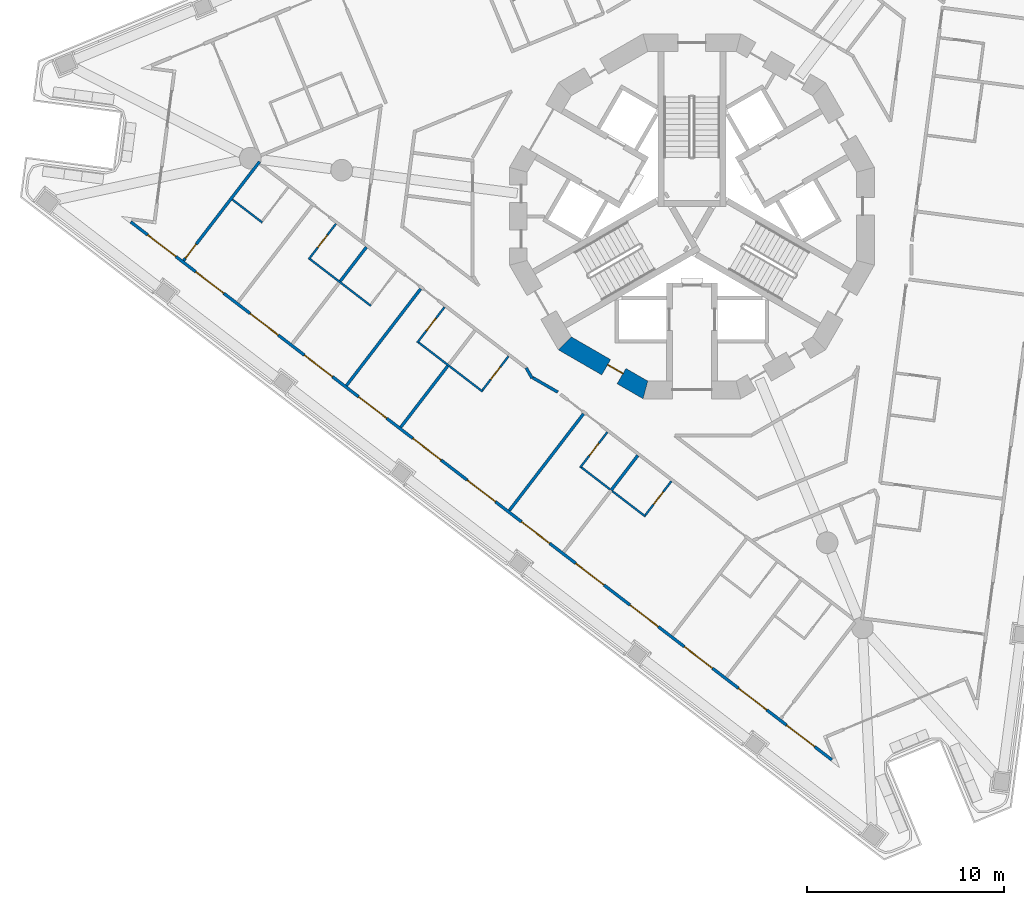
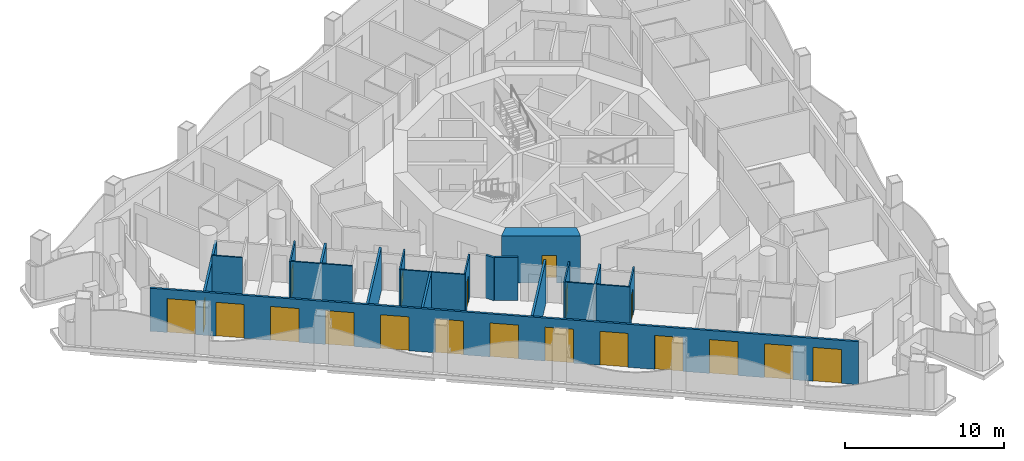
# One storey, part 2 of 18: 20 doors, 20 walls, 20 openings.
"""IFC4 building model written with IfcOpenShell, lengths in metres."""

from ifc_helpers import new_model, si_unit, direction, frame, frame_2d, origin, place, context, subcontext, project, spatial, polyline, rectangle, outline, extrude, material, layer, layer_set, type_object, element, fill, save


model = new_model("IFC4")

# Units and contexts
model_context = context("Model", 3, precision=1e-05, world=origin(), true_north=direction((0.0, 1.0)))
body_context = subcontext(model_context, "Body", "Model", "MODEL_VIEW")
ifc_project = project(units=[si_unit("LENGTHUNIT", "METRE"), si_unit("AREAUNIT", "SQUARE_METRE"), si_unit("VOLUMEUNIT", "CUBIC_METRE"), si_unit("PLANEANGLEUNIT", "RADIAN"), si_unit("MASSUNIT", "GRAM", prefix="KILO")], contexts=[model_context])

# Site, building, storey
site_placement = place(None, origin())
site = spatial("IfcSite", under=ifc_project, at=site_placement, CompositionType="ELEMENT")
building_placement = place(site_placement, origin())
building = spatial("IfcBuilding", under=site, at=building_placement, Name="Trine Commons Tower", CompositionType="ELEMENT")
storey_placement = place(building_placement, frame((0.0, 0.0, 142.199951171875)))
storey = spatial("IfcBuildingStorey", under=building, at=storey_placement, Name="L36", CompositionType="ELEMENT", Elevation=142.199951171875)

# Wall, openings, doors
ifc_material_1 = material(Name="Aluminium-framed insulated wall panel", Category="aluminium")
ifc_layer_1 = layer(ifc_material_1, 0.14990234375)
ifc_layer_set_1 = layer_set([ifc_layer_1], Name="Aluminium-framed insulated wall panel")
wall_type_1 = type_object("IfcWallType", Name="Glazed frame wall 150, EI 60", PredefinedType="SOLIDWALL", material=ifc_layer_set_1)
wall_1_placement = place(storey_placement, frame((87.22509765625, 34.786376953125, 0.0), z_axis=(0.0, 0.0, 1.0), x_axis=(-0.793353605974, 0.608761082764, 0.0)))
wall_1 = element("IfcWall", 1, at=wall_1_placement, inside=storey, type_object=wall_type_1, Name="Glazed frame wall F3", PredefinedType="SOLIDWALL", context=body_context, shape_type="SweptSolid", body=[
    extrude(outline(polyline([(0.1494140625, 0.074951171875), (0.1494140625, -0.074951171875), (45.056884765625, -0.074951171875), (45.056884765625, 0.074951171875), (0.1494140625, 0.074951171875)])), origin(), (0.0, 0.0, 1.0), 3.300048828125),
])
opening_1_placement = place(wall_1_placement, frame((1.23876953125, 0.0, 0.0)))
opening_1 = element("IfcOpeningElement", 2, at=opening_1_placement, cuts=wall_1, Name="Opening BD-4F3-01", PredefinedType="OPENING", context=body_context, shape_type="SweptSolid", body=[
    extrude(rectangle(XDim=1.800048828125, YDim=2.60009765625, at=frame_2d((0.89990234375, 1.300048828125))), frame((0.0, 0.0849609375, 0.0), z_axis=(0.0, -1.0, 0.0), x_axis=(1.0, 0.0, 0.0)), (0.0, 0.0, 1.0), 0.169921875),
])
opening_2_placement = place(wall_1_placement, frame((4.316162109375, 0.0, 0.0)))
opening_2 = element("IfcOpeningElement", 3, at=opening_2_placement, cuts=wall_1, Name="Opening BD-4F3-02", PredefinedType="OPENING", context=body_context, shape_type="SweptSolid", body=[
    extrude(rectangle(XDim=1.800048828125, YDim=2.60009765625, at=frame_2d((0.89990234375, 1.300048828125))), frame((0.0, 0.0849609375, 0.0), z_axis=(0.0, -1.0, 0.0), x_axis=(1.0, 0.0, 0.0)), (0.0, 0.0, 1.0), 0.169921875),
])
opening_3_placement = place(wall_1_placement, frame((7.79345703125, 0.0, 0.0)))
opening_3 = element("IfcOpeningElement", 4, at=opening_3_placement, cuts=wall_1, Name="Opening BD-4F3-03", PredefinedType="OPENING", context=body_context, shape_type="SweptSolid", body=[
    extrude(rectangle(XDim=1.800048828125, YDim=2.60009765625, at=frame_2d((0.89990234375, 1.300048828125))), frame((0.0, 0.0849609375, 0.0), z_axis=(0.0, -1.0, 0.0), x_axis=(1.0, 0.0, 0.0)), (0.0, 0.0, 1.0), 0.169921875),
])
opening_4_placement = place(wall_1_placement, frame((11.27099609375, 0.0, 0.0)))
opening_4 = element("IfcOpeningElement", 5, at=opening_4_placement, cuts=wall_1, Name="Opening BD-4F3-04", PredefinedType="OPENING", context=body_context, shape_type="SweptSolid", body=[
    extrude(rectangle(XDim=1.800048828125, YDim=2.60009765625, at=frame_2d((0.89990234375, 1.300048828125))), frame((0.0, 0.0849609375, 0.0), z_axis=(0.0, -1.0, 0.0), x_axis=(1.0, 0.0, 0.0)), (0.0, 0.0, 1.0), 0.169921875),
])
opening_5_placement = place(wall_1_placement, frame((14.748291015625, 0.0, 0.0)))
opening_5 = element("IfcOpeningElement", 6, at=opening_5_placement, cuts=wall_1, Name="Opening BD-4F3-05", PredefinedType="OPENING", context=body_context, shape_type="SweptSolid", body=[
    extrude(rectangle(XDim=1.800048828125, YDim=2.60009765625, at=frame_2d((0.89990234375, 1.300048828125))), frame((0.0, 0.0849609375, 0.0), z_axis=(0.0, -1.0, 0.0), x_axis=(1.0, 0.0, 0.0)), (0.0, 0.0, 1.0), 0.169921875),
])
opening_6_placement = place(wall_1_placement, frame((18.2255859375, 0.0, 0.0)))
opening_6 = element("IfcOpeningElement", 7, at=opening_6_placement, cuts=wall_1, Name="Opening BD-4F3-06", PredefinedType="OPENING", context=body_context, shape_type="SweptSolid", body=[
    extrude(rectangle(XDim=1.800048828125, YDim=2.60009765625, at=frame_2d((0.89990234375, 1.300048828125))), frame((0.0, 0.0849609375, 0.0), z_axis=(0.0, -1.0, 0.0), x_axis=(1.0, 0.0, 0.0)), (0.0, 0.0, 1.0), 0.169921875),
])
opening_7_placement = place(wall_1_placement, frame((21.703125, 0.0, 0.0)))
opening_7 = element("IfcOpeningElement", 8, at=opening_7_placement, cuts=wall_1, Name="Opening BD-4F3-07", PredefinedType="OPENING", context=body_context, shape_type="SweptSolid", body=[
    extrude(rectangle(XDim=1.800048828125, YDim=2.60009765625, at=frame_2d((0.89990234375, 1.300048828125))), frame((0.0, 0.0849609375, 0.0), z_axis=(0.0, -1.0, 0.0), x_axis=(1.0, 0.0, 0.0)), (0.0, 0.0, 1.0), 0.169921875),
])
opening_8_placement = place(wall_1_placement, frame((25.180419921875, 0.0, 0.0)))
opening_8 = element("IfcOpeningElement", 9, at=opening_8_placement, cuts=wall_1, Name="Opening BD-4F3-08", PredefinedType="OPENING", context=body_context, shape_type="SweptSolid", body=[
    extrude(rectangle(XDim=1.800048828125, YDim=2.60009765625, at=frame_2d((0.89990234375, 1.300048828125))), frame((0.0, 0.0849609375, 0.0), z_axis=(0.0, -1.0, 0.0), x_axis=(1.0, 0.0, 0.0)), (0.0, 0.0, 1.0), 0.169921875),
])
opening_9_placement = place(wall_1_placement, frame((28.657958984375, 0.0, 0.0)))
opening_9 = element("IfcOpeningElement", 10, at=opening_9_placement, cuts=wall_1, Name="Opening BD-4F3-09", PredefinedType="OPENING", context=body_context, shape_type="SweptSolid", body=[
    extrude(rectangle(XDim=1.800048828125, YDim=2.60009765625, at=frame_2d((0.89990234375, 1.300048828125))), frame((0.0, 0.0849609375, 0.0), z_axis=(0.0, -1.0, 0.0), x_axis=(1.0, 0.0, 0.0)), (0.0, 0.0, 1.0), 0.169921875),
])
opening_10_placement = place(wall_1_placement, frame((32.13525390625, 0.0, 0.0)))
opening_10 = element("IfcOpeningElement", 11, at=opening_10_placement, cuts=wall_1, Name="Opening BD-4F3-10", PredefinedType="OPENING", context=body_context, shape_type="SweptSolid", body=[
    extrude(rectangle(XDim=1.800048828125, YDim=2.60009765625, at=frame_2d((0.89990234375, 1.300048828125))), frame((0.0, 0.0849609375, 0.0), z_axis=(0.0, -1.0, 0.0), x_axis=(1.0, 0.0, 0.0)), (0.0, 0.0, 1.0), 0.169921875),
])
opening_11_placement = place(wall_1_placement, frame((35.61279296875, 0.0, 0.0)))
opening_11 = element("IfcOpeningElement", 12, at=opening_11_placement, cuts=wall_1, Name="Opening BD-4F3-11", PredefinedType="OPENING", context=body_context, shape_type="SweptSolid", body=[
    extrude(rectangle(XDim=1.800048828125, YDim=2.60009765625, at=frame_2d((0.89990234375, 1.300048828125))), frame((0.0, 0.0849609375, 0.0), z_axis=(0.0, -1.0, 0.0), x_axis=(1.0, 0.0, 0.0)), (0.0, 0.0, 1.0), 0.169921875),
])
opening_12_placement = place(wall_1_placement, frame((39.090087890625, 0.0, 0.0)))
opening_12 = element("IfcOpeningElement", 13, at=opening_12_placement, cuts=wall_1, Name="Opening BD-4F3-12", PredefinedType="OPENING", context=body_context, shape_type="SweptSolid", body=[
    extrude(rectangle(XDim=1.800048828125, YDim=2.60009765625, at=frame_2d((0.89990234375, 1.300048828125))), frame((0.0, 0.0849609375, 0.0), z_axis=(0.0, -1.0, 0.0), x_axis=(1.0, 0.0, 0.0)), (0.0, 0.0, 1.0), 0.169921875),
])
opening_13_placement = place(wall_1_placement, frame((42.16748046875, 0.0, 0.0)))
opening_13 = element("IfcOpeningElement", 14, at=opening_13_placement, cuts=wall_1, Name="Opening BD-4F3-13", PredefinedType="OPENING", context=body_context, shape_type="SweptSolid", body=[
    extrude(rectangle(XDim=1.800048828125, YDim=2.60009765625, at=frame_2d((0.89990234375, 1.300048828125))), frame((0.0, 0.0849609375, 0.0), z_axis=(0.0, -1.0, 0.0), x_axis=(1.0, 0.0, 0.0)), (0.0, 0.0, 1.0), 0.169921875),
])
ifc_material_2 = material(Name="Anodised aluminium frame with double glazing", Category="aluminium")
door_type_1 = type_object("IfcDoorType", Name="Sliding loggia door 1800x2600", OperationType="SLIDING_TO_LEFT", PredefinedType="DOOR", material=ifc_material_2)
door_1_placement = place(opening_1_placement, origin())
door_1 = element("IfcDoor", 15, at=door_1_placement, inside=storey, type_object=door_type_1, Name="Loggia door F3 1", OperationType="SLIDING_TO_LEFT", OverallHeight=2.60009765625, OverallWidth=1.800048828125, PredefinedType="DOOR", context=body_context, shape_type="SweptSolid", body=[
    extrude(rectangle(XDim=1.800048828125, YDim=2.60009765625, at=frame_2d((0.89990234375, 1.300048828125))), frame((0.0, 0.02490234375, 0.0), z_axis=(0.0, -1.0, 0.0), x_axis=(1.0, 0.0, 0.0)), (0.0, 0.0, 1.0), 0.050048828125),
])
fill(opening_1, door_1)
door_2_placement = place(opening_2_placement, origin())
door_2 = element("IfcDoor", 16, at=door_2_placement, inside=storey, type_object=door_type_1, Name="Loggia door F3 2", OperationType="SLIDING_TO_LEFT", OverallHeight=2.60009765625, OverallWidth=1.800048828125, PredefinedType="DOOR", context=body_context, shape_type="SweptSolid", body=[
    extrude(rectangle(XDim=1.800048828125, YDim=2.60009765625, at=frame_2d((0.89990234375, 1.300048828125))), frame((0.0, 0.02490234375, 0.0), z_axis=(0.0, -1.0, 0.0), x_axis=(1.0, 0.0, 0.0)), (0.0, 0.0, 1.0), 0.050048828125),
])
fill(opening_2, door_2)
door_3_placement = place(opening_3_placement, origin())
door_3 = element("IfcDoor", 17, at=door_3_placement, inside=storey, type_object=door_type_1, Name="Loggia door F3 3", OperationType="SLIDING_TO_LEFT", OverallHeight=2.60009765625, OverallWidth=1.800048828125, PredefinedType="DOOR", context=body_context, shape_type="SweptSolid", body=[
    extrude(rectangle(XDim=1.800048828125, YDim=2.60009765625, at=frame_2d((0.89990234375, 1.300048828125))), frame((0.0, 0.02490234375, 0.0), z_axis=(0.0, -1.0, 0.0), x_axis=(1.0, 0.0, 0.0)), (0.0, 0.0, 1.0), 0.050048828125),
])
fill(opening_3, door_3)
door_4_placement = place(opening_4_placement, origin())
door_4 = element("IfcDoor", 18, at=door_4_placement, inside=storey, type_object=door_type_1, Name="Loggia door F3 4", OperationType="SLIDING_TO_LEFT", OverallHeight=2.60009765625, OverallWidth=1.800048828125, PredefinedType="DOOR", context=body_context, shape_type="SweptSolid", body=[
    extrude(rectangle(XDim=1.800048828125, YDim=2.60009765625, at=frame_2d((0.89990234375, 1.300048828125))), frame((0.0, 0.02490234375, 0.0), z_axis=(0.0, -1.0, 0.0), x_axis=(1.0, 0.0, 0.0)), (0.0, 0.0, 1.0), 0.050048828125),
])
fill(opening_4, door_4)
door_5_placement = place(opening_5_placement, origin())
door_5 = element("IfcDoor", 19, at=door_5_placement, inside=storey, type_object=door_type_1, Name="Loggia door F3 5", OperationType="SLIDING_TO_LEFT", OverallHeight=2.60009765625, OverallWidth=1.800048828125, PredefinedType="DOOR", context=body_context, shape_type="SweptSolid", body=[
    extrude(rectangle(XDim=1.800048828125, YDim=2.60009765625, at=frame_2d((0.89990234375, 1.300048828125))), frame((0.0, 0.02490234375, 0.0), z_axis=(0.0, -1.0, 0.0), x_axis=(1.0, 0.0, 0.0)), (0.0, 0.0, 1.0), 0.050048828125),
])
fill(opening_5, door_5)
door_6_placement = place(opening_6_placement, origin())
door_6 = element("IfcDoor", 20, at=door_6_placement, inside=storey, type_object=door_type_1, Name="Loggia door F3 6", OperationType="SLIDING_TO_LEFT", OverallHeight=2.60009765625, OverallWidth=1.800048828125, PredefinedType="DOOR", context=body_context, shape_type="SweptSolid", body=[
    extrude(rectangle(XDim=1.800048828125, YDim=2.60009765625, at=frame_2d((0.89990234375, 1.300048828125))), frame((0.0, 0.02490234375, 0.0), z_axis=(0.0, -1.0, 0.0), x_axis=(1.0, 0.0, 0.0)), (0.0, 0.0, 1.0), 0.050048828125),
])
fill(opening_6, door_6)
door_7_placement = place(opening_7_placement, origin())
door_7 = element("IfcDoor", 21, at=door_7_placement, inside=storey, type_object=door_type_1, Name="Loggia door F3 7", OperationType="SLIDING_TO_LEFT", OverallHeight=2.60009765625, OverallWidth=1.800048828125, PredefinedType="DOOR", context=body_context, shape_type="SweptSolid", body=[
    extrude(rectangle(XDim=1.800048828125, YDim=2.60009765625, at=frame_2d((0.89990234375, 1.300048828125))), frame((0.0, 0.02490234375, 0.0), z_axis=(0.0, -1.0, 0.0), x_axis=(1.0, 0.0, 0.0)), (0.0, 0.0, 1.0), 0.050048828125),
])
fill(opening_7, door_7)
door_8_placement = place(opening_8_placement, origin())
door_8 = element("IfcDoor", 22, at=door_8_placement, inside=storey, type_object=door_type_1, Name="Loggia door F3 8", OperationType="SLIDING_TO_LEFT", OverallHeight=2.60009765625, OverallWidth=1.800048828125, PredefinedType="DOOR", context=body_context, shape_type="SweptSolid", body=[
    extrude(rectangle(XDim=1.800048828125, YDim=2.60009765625, at=frame_2d((0.89990234375, 1.300048828125))), frame((0.0, 0.02490234375, 0.0), z_axis=(0.0, -1.0, 0.0), x_axis=(1.0, 0.0, 0.0)), (0.0, 0.0, 1.0), 0.050048828125),
])
fill(opening_8, door_8)
door_9_placement = place(opening_9_placement, origin())
door_9 = element("IfcDoor", 23, at=door_9_placement, inside=storey, type_object=door_type_1, Name="Loggia door F3 9", OperationType="SLIDING_TO_LEFT", OverallHeight=2.60009765625, OverallWidth=1.800048828125, PredefinedType="DOOR", context=body_context, shape_type="SweptSolid", body=[
    extrude(rectangle(XDim=1.800048828125, YDim=2.60009765625, at=frame_2d((0.89990234375, 1.300048828125))), frame((0.0, 0.02490234375, 0.0), z_axis=(0.0, -1.0, 0.0), x_axis=(1.0, 0.0, 0.0)), (0.0, 0.0, 1.0), 0.050048828125),
])
fill(opening_9, door_9)
door_10_placement = place(opening_10_placement, origin())
door_10 = element("IfcDoor", 24, at=door_10_placement, inside=storey, type_object=door_type_1, Name="Loggia door F3 10", OperationType="SLIDING_TO_LEFT", OverallHeight=2.60009765625, OverallWidth=1.800048828125, PredefinedType="DOOR", context=body_context, shape_type="SweptSolid", body=[
    extrude(rectangle(XDim=1.800048828125, YDim=2.60009765625, at=frame_2d((0.89990234375, 1.300048828125))), frame((0.0, 0.02490234375, 0.0), z_axis=(0.0, -1.0, 0.0), x_axis=(1.0, 0.0, 0.0)), (0.0, 0.0, 1.0), 0.050048828125),
])
fill(opening_10, door_10)
door_11_placement = place(opening_11_placement, origin())
door_11 = element("IfcDoor", 25, at=door_11_placement, inside=storey, type_object=door_type_1, Name="Loggia door F3 11", OperationType="SLIDING_TO_LEFT", OverallHeight=2.60009765625, OverallWidth=1.800048828125, PredefinedType="DOOR", context=body_context, shape_type="SweptSolid", body=[
    extrude(rectangle(XDim=1.800048828125, YDim=2.60009765625, at=frame_2d((0.89990234375, 1.300048828125))), frame((0.0, 0.02490234375, 0.0), z_axis=(0.0, -1.0, 0.0), x_axis=(1.0, 0.0, 0.0)), (0.0, 0.0, 1.0), 0.050048828125),
])
fill(opening_11, door_11)
door_12_placement = place(opening_12_placement, origin())
door_12 = element("IfcDoor", 26, at=door_12_placement, inside=storey, type_object=door_type_1, Name="Loggia door F3 12", OperationType="SLIDING_TO_LEFT", OverallHeight=2.60009765625, OverallWidth=1.800048828125, PredefinedType="DOOR", context=body_context, shape_type="SweptSolid", body=[
    extrude(rectangle(XDim=1.800048828125, YDim=2.60009765625, at=frame_2d((0.89990234375, 1.300048828125))), frame((0.0, 0.02490234375, 0.0), z_axis=(0.0, -1.0, 0.0), x_axis=(1.0, 0.0, 0.0)), (0.0, 0.0, 1.0), 0.050048828125),
])
fill(opening_12, door_12)
door_13_placement = place(opening_13_placement, origin())
door_13 = element("IfcDoor", 27, at=door_13_placement, inside=storey, type_object=door_type_1, Name="Loggia door F3 13", OperationType="SLIDING_TO_LEFT", OverallHeight=2.60009765625, OverallWidth=1.800048828125, PredefinedType="DOOR", context=body_context, shape_type="SweptSolid", body=[
    extrude(rectangle(XDim=1.800048828125, YDim=2.60009765625, at=frame_2d((0.89990234375, 1.300048828125))), frame((0.0, 0.02490234375, 0.0), z_axis=(0.0, -1.0, 0.0), x_axis=(1.0, 0.0, 0.0)), (0.0, 0.0, 1.0), 0.050048828125),
])
fill(opening_13, door_13)

# Wall, opening, door
ifc_material_3 = material(Name="Concrete C70/85", Category="concrete")
ifc_layer_2 = layer(ifc_material_3, 0.89990234375)
ifc_layer_set_2 = layer_set([ifc_layer_2], Name="Concrete C70/85")
wall_type_2 = type_object("IfcWallType", Name="RC shear wall 900 mm, C70/85", PredefinedType="SHEAR", material=ifc_layer_set_2)
wall_2_placement = place(storey_placement, frame((73.436767578125, 56.1015625, 0.0), z_axis=(0.0, 0.0, 1.0), x_axis=(0.866003133579, -0.500038571144, 0.0)))
wall_2 = element("IfcWall", 28, at=wall_2_placement, inside=storey, type_object=wall_type_2, Name="Core wall CWD-09 L36", PredefinedType="SHEAR", context=body_context, shape_type="SweptSolid", body=[
    extrude(outline(polyline([(0.0, -0.449951171875), (4.96923828125, -0.449951171875), (4.72802734375, 0.449951171875), (0.2412109375, 0.449951171875), (0.0, -0.449951171875)])), origin(), (0.0, 0.0, 1.0), 3.60009765625),
])
opening_14_placement = place(wall_2_placement, frame((2.5458984375, 0.0, 0.0)))
opening_14 = element("IfcOpeningElement", 29, at=opening_14_placement, cuts=wall_2, Name="Opening K11.16", PredefinedType="OPENING", context=body_context, shape_type="SweptSolid", body=[
    extrude(rectangle(XDim=0.89990234375, YDim=2.10009765625, at=frame_2d((0.449951171875, 1.050048828125))), frame((0.0, 0.4599609375, 0.0), z_axis=(0.0, -1.0, 0.0), x_axis=(1.0, 0.0, 0.0)), (0.0, 0.0, 1.0), 0.919921875),
])
ifc_material_4 = material(Name="Steel door leaf, fire-rated", Category="steel")
door_type_2 = type_object("IfcDoorType", Name="Core room door, single leaf 900 x 2100, FD30S", OperationType="SINGLE_SWING_LEFT", PredefinedType="DOOR", material=ifc_material_4)
door_14_placement = place(opening_14_placement, origin())
door_14 = element("IfcDoor", 30, at=door_14_placement, inside=storey, type_object=door_type_2, Name="Door to Pantry L36", OperationType="SINGLE_SWING_RIGHT", OverallHeight=2.10009765625, OverallWidth=0.89990234375, PredefinedType="DOOR", context=body_context, shape_type="SweptSolid", body=[
    extrude(rectangle(XDim=0.89990234375, YDim=2.10009765625, at=frame_2d((0.449951171875, 1.050048828125))), frame((0.0, 0.1748046875, 0.0), z_axis=(0.0, -1.0, 0.0), x_axis=(1.0, 0.0, 0.0)), (0.0, 0.0, 1.0), 0.050048828125),
])
fill(opening_14, door_14)

ifc_material_5 = material(Name="Gypsum plasterboard on steel stud", Category="steel")
ifc_layer_3 = layer(ifc_material_5, 0.14990234375)
ifc_layer_set_3 = layer_set([ifc_layer_3], Name="Gypsum plasterboard on steel stud")
wall_type_3 = type_object("IfcWallType", Name="Unit and corridor wall 150 mm, EI 60", PredefinedType="PARTITIONING", material=ifc_layer_set_3)
wall_3_placement = place(storey_placement, frame((54.165283203125, 60.248779296875, 0.0), z_axis=(0.0, 0.0, 1.0), x_axis=(0.608817658648, 0.793310190605, 0.0)))
wall_3 = element("IfcWall", 31, at=wall_3_placement, inside=storey, type_object=wall_type_3, Name="Partition 001", PredefinedType="PARTITIONING", context=body_context, shape_type="SweptSolid", body=[
    extrude(rectangle(XDim=6.343994140625, YDim=0.14990234375, at=frame_2d((3.171875, 0.0))), origin(), (0.0, 0.0, 1.0), 2.800048828125),
])
opening_15_placement = place(wall_3_placement, frame((0.14990234375, 0.0, 0.0)))
opening_15 = element("IfcOpeningElement", 32, at=opening_15_placement, cuts=wall_3, Name="Opening D-4B28", PredefinedType="OPENING", context=body_context, shape_type="SweptSolid", body=[
    extrude(rectangle(XDim=0.89990234375, YDim=2.10009765625, at=frame_2d((0.449951171875, 1.050048828125))), frame((0.0, 0.0849609375, 0.0), z_axis=(0.0, -1.0, 0.0), x_axis=(1.0, 0.0, 0.0)), (0.0, 0.0, 1.0), 0.169921875),
])
ifc_material_6 = material(Name="Timber fire door set", Category="wood")
door_type_3 = type_object("IfcDoorType", Name="Bedroom door 900 x 2100, FD30S", OperationType="NOTDEFINED", PredefinedType="DOOR", material=ifc_material_6)
door_15_placement = place(opening_15_placement, frame((0.89990234375, 0.0, 0.0), z_axis=(0.0, 0.0, 1.0), x_axis=(-1.0, 0.0, 0.0)))
door_15 = element("IfcDoor", 33, at=door_15_placement, inside=storey, type_object=door_type_3, Name="Door D-4B28", OperationType="SINGLE_SWING_RIGHT", OverallHeight=2.10009765625, OverallWidth=0.89990234375, PredefinedType="DOOR", context=body_context, shape_type="SweptSolid", body=[
    extrude(rectangle(XDim=0.89990234375, YDim=2.10009765625, at=frame_2d((0.449951171875, 1.050048828125))), frame((0.0, 0.02490234375, 0.0), z_axis=(0.0, -1.0, 0.0), x_axis=(1.0, 0.0, 0.0)), (0.0, 0.0, 1.0), 0.050048828125),
])
fill(opening_15, door_15)

# Walls
wall_4_placement = place(storey_placement, frame((62.12939453125, 59.20361328125, 0.0), z_axis=(0.0, 0.0, 1.0), x_axis=(0.608674216197, 0.79342025342, 0.0)))
element("IfcWall", 34, at=wall_4_placement, inside=storey, type_object=wall_type_3, Name="Partition 018", PredefinedType="PARTITIONING", context=body_context, shape_type="SweptSolid", body=[
    extrude(rectangle(XDim=2.17529296875, YDim=0.14990234375, at=frame_2d((1.087646484375, 0.0))), origin(), (0.0, 0.0, 1.0), 3.300048828125),
])
wall_5_placement = place(storey_placement, frame((62.44140625, 53.897705078125, 0.0), z_axis=(0.0, 0.0, 1.0), x_axis=(0.608735145032, 0.793373508004, 0.0)))
element("IfcWall", 35, at=wall_5_placement, inside=storey, type_object=wall_type_3, Name="Partition 020", PredefinedType="PARTITIONING", context=body_context, shape_type="SweptSolid", body=[
    extrude(rectangle(XDim=6.19482421875, YDim=0.14990234375, at=frame_2d((3.097412109375, 0.0))), origin(), (0.0, 0.0, 1.0), 3.300048828125),
])
wall_6_placement = place(storey_placement, frame((65.200439453125, 51.78076171875, 0.0), z_axis=(0.0, 0.0, 1.0), x_axis=(0.608783231907, 0.793336609863, 0.0)))
element("IfcWall", 36, at=wall_6_placement, inside=storey, type_object=wall_type_3, Name="Partition 026", PredefinedType="PARTITIONING", context=body_context, shape_type="SweptSolid", body=[
    extrude(rectangle(XDim=3.919677734375, YDim=0.14990234375, at=frame_2d((1.9599609375, 0.0))), origin(), (0.0, 0.0, 1.0), 3.300048828125),
])
wall_7_placement = place(storey_placement, frame((70.71826171875, 47.547607421875, 0.0), z_axis=(0.0, 0.0, 1.0), x_axis=(0.608712047114, 0.79339122991, 0.0)))
element("IfcWall", 37, at=wall_7_placement, inside=storey, type_object=wall_type_3, Name="Partition 042", PredefinedType="PARTITIONING", context=body_context, shape_type="SweptSolid", body=[
    extrude(rectangle(XDim=6.193359375, YDim=0.14990234375, at=frame_2d((3.0966796875, 0.0))), origin(), (0.0, 0.0, 1.0), 3.300048828125),
])
wall_8_placement = place(storey_placement, frame((71.575927734375, 54.794921875, 0.0), z_axis=(0.0, 0.0, 1.0), x_axis=(0.499675599625, -0.866212615435, 0.0)))
element("IfcWall", 38, at=wall_8_placement, inside=storey, type_object=wall_type_3, Name="Partition 047", PredefinedType="PARTITIONING", context=body_context, shape_type="SweptSolid", body=[
    extrude(rectangle(XDim=0.6015625, YDim=0.14990234375, at=frame_2d((0.30078125, 0.0))), origin(), (0.0, 0.0, 1.0), 3.300048828125),
])
wall_9_placement = place(storey_placement, frame((71.904052734375, 54.301513671875, 0.0), z_axis=(0.0, 0.0, 1.0), x_axis=(0.866086395302, -0.499894344709, 0.0)))
element("IfcWall", 39, at=wall_9_placement, inside=storey, type_object=wall_type_3, Name="Partition 050", PredefinedType="PARTITIONING", context=body_context, shape_type="SweptSolid", body=[
    extrude(rectangle(XDim=1.475341796875, YDim=0.14990234375, at=frame_2d((0.73779296875, 0.0))), origin(), (0.0, 0.0, 1.0), 3.300048828125),
])
wall_10_placement = place(storey_placement, frame((75.89306640625, 48.5791015625, 0.0), z_axis=(0.0, 0.0, 1.0), x_axis=(0.608654966147, 0.79343502077, 0.0)))
element("IfcWall", 40, at=wall_10_placement, inside=storey, type_object=wall_type_3, Name="Partition 061", PredefinedType="PARTITIONING", context=body_context, shape_type="SweptSolid", body=[
    extrude(rectangle(XDim=2.22509765625, YDim=0.14990234375, at=frame_2d((1.112548828125, 0.0))), origin(), (0.0, 0.0, 1.0), 3.300048828125),
])
ifc_layer_4 = layer(ifc_material_5, 0.10009765625)
ifc_layer_set_4 = layer_set([ifc_layer_4], Name="Gypsum plasterboard on steel stud")
wall_type_4 = type_object("IfcWallType", Name="Unit partition 100 mm, no rating", PredefinedType="PARTITIONING", material=ifc_layer_set_4)
wall_11_placement = place(storey_placement, frame((56.640380859375, 63.352294921875, 0.0), z_axis=(0.0, 0.0, 1.0), x_axis=(0.793438942522, -0.608649853766, 0.0)))
element("IfcWall", 41, at=wall_11_placement, inside=storey, type_object=wall_type_4, Name="Partition 003", PredefinedType="PARTITIONING", context=body_context, shape_type="SweptSolid", body=[
    extrude(rectangle(XDim=1.925048828125, YDim=0.10009765625, at=frame_2d((0.96240234375, 0.0))), origin(), (0.0, 0.0, 1.0), 3.300048828125),
])

# Wall, opening, door
wall_12_placement = place(storey_placement, frame((60.521484375, 60.311279296875, 0.0), z_axis=(0.0, 0.0, 1.0), x_axis=(0.608719842686, 0.793385248867, 0.0)))
wall_12 = element("IfcWall", 42, at=wall_12_placement, inside=storey, type_object=wall_type_4, Name="Partition 014", PredefinedType="PARTITIONING", context=body_context, shape_type="SweptSolid", body=[
    extrude(rectangle(XDim=2.275390625, YDim=0.10009765625, at=frame_2d((1.1376953125, 0.0))), origin(), (0.0, 0.0, 1.0), 3.300048828125),
])
opening_16_placement = place(wall_12_placement, frame((0.762451171875, 0.0, 0.0)))
opening_16 = element("IfcOpeningElement", 43, at=opening_16_placement, cuts=wall_12, Name="Opening D-4B57", PredefinedType="OPENING", context=body_context, shape_type="SweptSolid", body=[
    extrude(rectangle(XDim=0.800048828125, YDim=2.10009765625, at=frame_2d((0.39990234375, 1.050048828125))), frame((0.0, 0.06005859375, 0.0), z_axis=(0.0, -1.0, 0.0), x_axis=(1.0, 0.0, 0.0)), (0.0, 0.0, 1.0), 0.1201171875),
])
ifc_material_7 = material(Name="Painted timber", Category="wood")
door_type_4 = type_object("IfcDoorType", Name="Internal door 800 x 2100, NOT RATED", OperationType="NOTDEFINED", PredefinedType="DOOR", material=ifc_material_7)
door_16_placement = place(opening_16_placement, origin())
door_16 = element("IfcDoor", 44, at=door_16_placement, inside=storey, type_object=door_type_4, Name="Door D-4B57", OperationType="SINGLE_SWING_RIGHT", OverallHeight=2.10009765625, OverallWidth=0.800048828125, PredefinedType="DOOR", context=body_context, shape_type="SweptSolid", body=[
    extrude(rectangle(XDim=0.800048828125, YDim=2.10009765625, at=frame_2d((0.39990234375, 1.050048828125))), frame((0.0, 0.02490234375, 0.0), z_axis=(0.0, -1.0, 0.0), x_axis=(1.0, 0.0, 0.0)), (0.0, 0.0, 1.0), 0.050048828125),
])
fill(opening_16, door_16)

# Wall
wall_13_placement = place(storey_placement, frame((60.591796875, 60.320556640625, 0.0), z_axis=(0.0, 0.0, 1.0), x_axis=(0.793363466367, -0.608748232222, 0.0)))
element("IfcWall", 45, at=wall_13_placement, inside=storey, type_object=wall_type_4, Name="Partition 015", PredefinedType="PARTITIONING", context=body_context, shape_type="SweptSolid", body=[
    extrude(rectangle(XDim=3.89990234375, YDim=0.10009765625, at=frame_2d((1.949951171875, 0.0))), origin(), (0.0, 0.0, 1.0), 3.300048828125),
])

# Wall, opening, door
wall_14_placement = place(storey_placement, frame((66.03955078125, 56.077392578125, 0.0), z_axis=(0.0, 0.0, 1.0), x_axis=(0.608652294224, 0.793437070432, 0.0)))
wall_14 = element("IfcWall", 46, at=wall_14_placement, inside=storey, type_object=wall_type_4, Name="Partition 034", PredefinedType="PARTITIONING", context=body_context, shape_type="SweptSolid", body=[
    extrude(rectangle(XDim=2.275146484375, YDim=0.10009765625, at=frame_2d((1.1376953125, 0.0))), origin(), (0.0, 0.0, 1.0), 3.300048828125),
])
opening_17_placement = place(wall_14_placement, frame((0.762451171875, 0.0, 0.0)))
opening_17 = element("IfcOpeningElement", 47, at=opening_17_placement, cuts=wall_14, Name="Opening D-4B55", PredefinedType="OPENING", context=body_context, shape_type="SweptSolid", body=[
    extrude(rectangle(XDim=0.800048828125, YDim=2.10009765625, at=frame_2d((0.39990234375, 1.050048828125))), frame((0.0, 0.06005859375, 0.0), z_axis=(0.0, -1.0, 0.0), x_axis=(1.0, 0.0, 0.0)), (0.0, 0.0, 1.0), 0.1201171875),
])
door_17_placement = place(opening_17_placement, origin())
door_17 = element("IfcDoor", 48, at=door_17_placement, inside=storey, type_object=door_type_4, Name="Door D-4B55", OperationType="SINGLE_SWING_RIGHT", OverallHeight=2.10009765625, OverallWidth=0.800048828125, PredefinedType="DOOR", context=body_context, shape_type="SweptSolid", body=[
    extrude(rectangle(XDim=0.800048828125, YDim=2.10009765625, at=frame_2d((0.39990234375, 1.050048828125))), frame((0.0, 0.02490234375, 0.0), z_axis=(0.0, -1.0, 0.0), x_axis=(1.0, 0.0, 0.0)), (0.0, 0.0, 1.0), 0.050048828125),
])
fill(opening_17, door_17)

# Wall
wall_15_placement = place(storey_placement, frame((66.109619140625, 56.086669921875, 0.0), z_axis=(0.0, 0.0, 1.0), x_axis=(0.793283238718, -0.608852776267, 0.0)))
element("IfcWall", 49, at=wall_15_placement, inside=storey, type_object=wall_type_4, Name="Partition 035", PredefinedType="PARTITIONING", context=body_context, shape_type="SweptSolid", body=[
    extrude(rectangle(XDim=4.099609375, YDim=0.10009765625, at=frame_2d((2.0498046875, 0.0))), origin(), (0.0, 0.0, 1.0), 3.300048828125),
])

# Wall, opening, door
wall_16_placement = place(storey_placement, frame((69.352294921875, 53.66064453125, 0.0), z_axis=(0.0, 0.0, 1.0), x_axis=(0.608744865415, 0.793366049709, 0.0)))
wall_16 = element("IfcWall", 50, at=wall_16_placement, inside=storey, type_object=wall_type_4, Name="Partition 041", PredefinedType="PARTITIONING", context=body_context, shape_type="SweptSolid", body=[
    extrude(rectangle(XDim=2.17529296875, YDim=0.10009765625, at=frame_2d((1.087646484375, 0.0))), origin(), (0.0, 0.0, 1.0), 3.300048828125),
])
opening_18_placement = place(wall_16_placement, frame((0.6875, 0.0, 0.0)))
opening_18 = element("IfcOpeningElement", 51, at=opening_18_placement, cuts=wall_16, Name="Opening D-4B54", PredefinedType="OPENING", context=body_context, shape_type="SweptSolid", body=[
    extrude(rectangle(XDim=0.800048828125, YDim=2.10009765625, at=frame_2d((0.39990234375, 1.050048828125))), frame((0.0, 0.06005859375, 0.0), z_axis=(0.0, -1.0, 0.0), x_axis=(1.0, 0.0, 0.0)), (0.0, 0.0, 1.0), 0.1201171875),
])
door_18_placement = place(opening_18_placement, frame((0.800048828125, 0.0, 0.0), z_axis=(0.0, 0.0, 1.0), x_axis=(-1.0, 0.0, 0.0)))
door_18 = element("IfcDoor", 52, at=door_18_placement, inside=storey, type_object=door_type_4, Name="Door D-4B54", OperationType="SINGLE_SWING_LEFT", OverallHeight=2.10009765625, OverallWidth=0.800048828125, PredefinedType="DOOR", context=body_context, shape_type="SweptSolid", body=[
    extrude(rectangle(XDim=0.800048828125, YDim=2.10009765625, at=frame_2d((0.39990234375, 1.050048828125))), frame((0.0, 0.02490234375, 0.0), z_axis=(0.0, -1.0, 0.0), x_axis=(1.0, 0.0, 0.0)), (0.0, 0.0, 1.0), 0.050048828125),
])
fill(opening_18, door_18)

wall_17_placement = place(storey_placement, frame((74.315673828125, 49.726318359375, 0.0), z_axis=(0.0, 0.0, 1.0), x_axis=(0.608652294224, 0.793437070432, 0.0)))
wall_17 = element("IfcWall", 53, at=wall_17_placement, inside=storey, type_object=wall_type_4, Name="Partition 055", PredefinedType="PARTITIONING", context=body_context, shape_type="SweptSolid", body=[
    extrude(rectangle(XDim=2.275146484375, YDim=0.10009765625, at=frame_2d((1.1376953125, 0.0))), origin(), (0.0, 0.0, 1.0), 3.300048828125),
])
opening_19_placement = place(wall_17_placement, frame((0.762451171875, 0.0, 0.0)))
opening_19 = element("IfcOpeningElement", 54, at=opening_19_placement, cuts=wall_17, Name="Opening D-4B53", PredefinedType="OPENING", context=body_context, shape_type="SweptSolid", body=[
    extrude(rectangle(XDim=0.800048828125, YDim=2.10009765625, at=frame_2d((0.39990234375, 1.050048828125))), frame((0.0, 0.06005859375, 0.0), z_axis=(0.0, -1.0, 0.0), x_axis=(1.0, 0.0, 0.0)), (0.0, 0.0, 1.0), 0.1201171875),
])
door_19_placement = place(opening_19_placement, origin())
door_19 = element("IfcDoor", 55, at=door_19_placement, inside=storey, type_object=door_type_4, Name="Door D-4B53", OperationType="SINGLE_SWING_RIGHT", OverallHeight=2.10009765625, OverallWidth=0.800048828125, PredefinedType="DOOR", context=body_context, shape_type="SweptSolid", body=[
    extrude(rectangle(XDim=0.800048828125, YDim=2.10009765625, at=frame_2d((0.39990234375, 1.050048828125))), frame((0.0, 0.02490234375, 0.0), z_axis=(0.0, -1.0, 0.0), x_axis=(1.0, 0.0, 0.0)), (0.0, 0.0, 1.0), 0.050048828125),
])
fill(opening_19, door_19)

# Walls
wall_18_placement = place(storey_placement, frame((74.3857421875, 49.735595703125, 0.0), z_axis=(0.0, 0.0, 1.0), x_axis=(0.793369431695, -0.608740457709, 0.0)))
element("IfcWall", 56, at=wall_18_placement, inside=storey, type_object=wall_type_4, Name="Partition 056", PredefinedType="PARTITIONING", context=body_context, shape_type="SweptSolid", body=[
    extrude(rectangle(XDim=1.82470703125, YDim=0.10009765625, at=frame_2d((0.912353515625, 0.0))), origin(), (0.0, 0.0, 1.0), 3.300048828125),
])
wall_19_placement = place(storey_placement, frame((75.952392578125, 48.533447265625, 0.0), z_axis=(0.0, 0.0, 1.0), x_axis=(0.793571224507, -0.608477371506, 0.0)))
element("IfcWall", 57, at=wall_19_placement, inside=storey, type_object=wall_type_4, Name="Partition 062", PredefinedType="PARTITIONING", context=body_context, shape_type="SweptSolid", body=[
    extrude(rectangle(XDim=2.125, YDim=0.10009765625, at=frame_2d((1.0625, 0.0))), origin(), (0.0, 0.0, 1.0), 3.300048828125),
])

# Wall, opening, door
wall_20_placement = place(storey_placement, frame((77.62939453125, 47.310791015625, 0.0), z_axis=(0.0, 0.0, 1.0), x_axis=(0.608945322712, 0.793212199822, 0.0)))
wall_20 = element("IfcWall", 58, at=wall_20_placement, inside=storey, type_object=wall_type_4, Name="Partition 066", PredefinedType="PARTITIONING", context=body_context, shape_type="SweptSolid", body=[
    extrude(rectangle(XDim=2.17431640625, YDim=0.10009765625, at=frame_2d((1.087158203125, 0.0))), origin(), (0.0, 0.0, 1.0), 3.300048828125),
])
opening_20_placement = place(wall_20_placement, frame((0.687255859375, 0.0, 0.0)))
opening_20 = element("IfcOpeningElement", 59, at=opening_20_placement, cuts=wall_20, Name="Opening D-4B52", PredefinedType="OPENING", context=body_context, shape_type="SweptSolid", body=[
    extrude(rectangle(XDim=0.800048828125, YDim=2.10009765625, at=frame_2d((0.39990234375, 1.050048828125))), frame((0.0, 0.06005859375, 0.0), z_axis=(0.0, -1.0, 0.0), x_axis=(1.0, 0.0, 0.0)), (0.0, 0.0, 1.0), 0.1201171875),
])
door_20_placement = place(opening_20_placement, frame((0.800048828125, 0.0, 0.0), z_axis=(0.0, 0.0, 1.0), x_axis=(-1.0, 0.0, 0.0)))
door_20 = element("IfcDoor", 60, at=door_20_placement, inside=storey, type_object=door_type_4, Name="Door D-4B52", OperationType="SINGLE_SWING_LEFT", OverallHeight=2.10009765625, OverallWidth=0.800048828125, PredefinedType="DOOR", context=body_context, shape_type="SweptSolid", body=[
    extrude(rectangle(XDim=0.800048828125, YDim=2.10009765625, at=frame_2d((0.39990234375, 1.050048828125))), frame((0.0, 0.02490234375, 0.0), z_axis=(0.0, -1.0, 0.0), x_axis=(1.0, 0.0, 0.0)), (0.0, 0.0, 1.0), 0.050048828125),
])
fill(opening_20, door_20)

save(model, "model.ifc")
